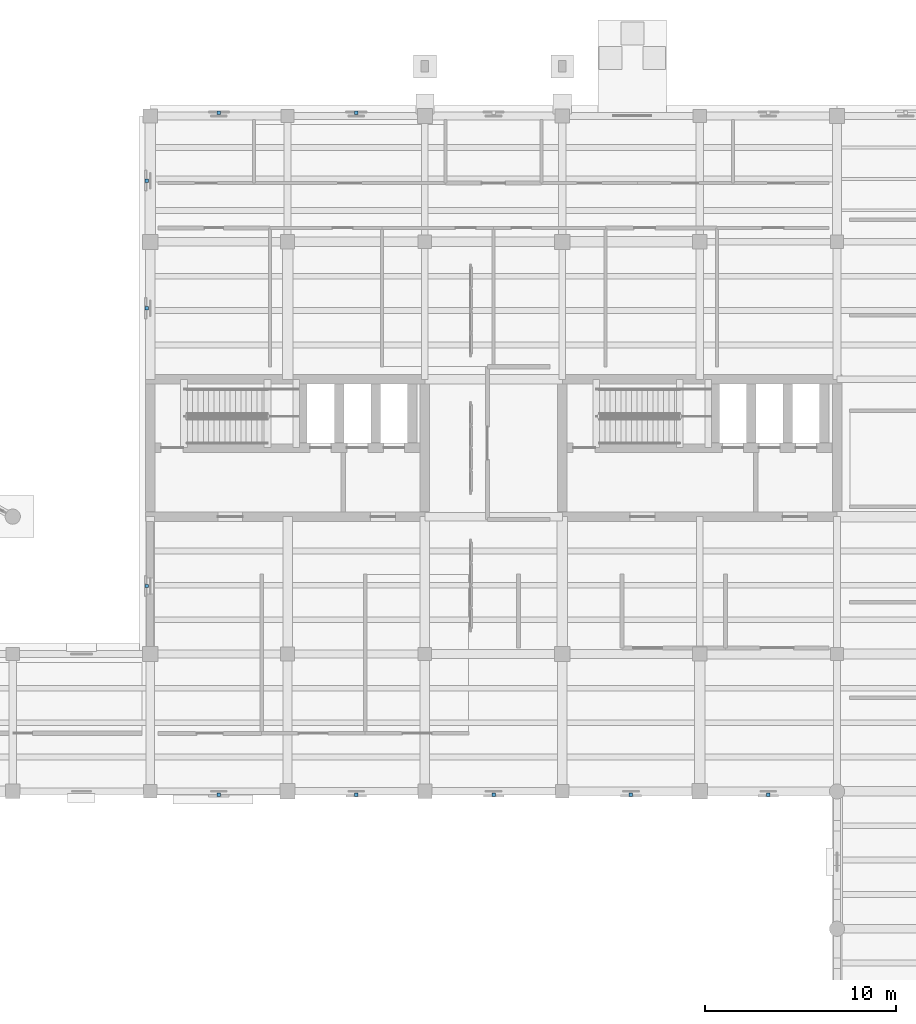
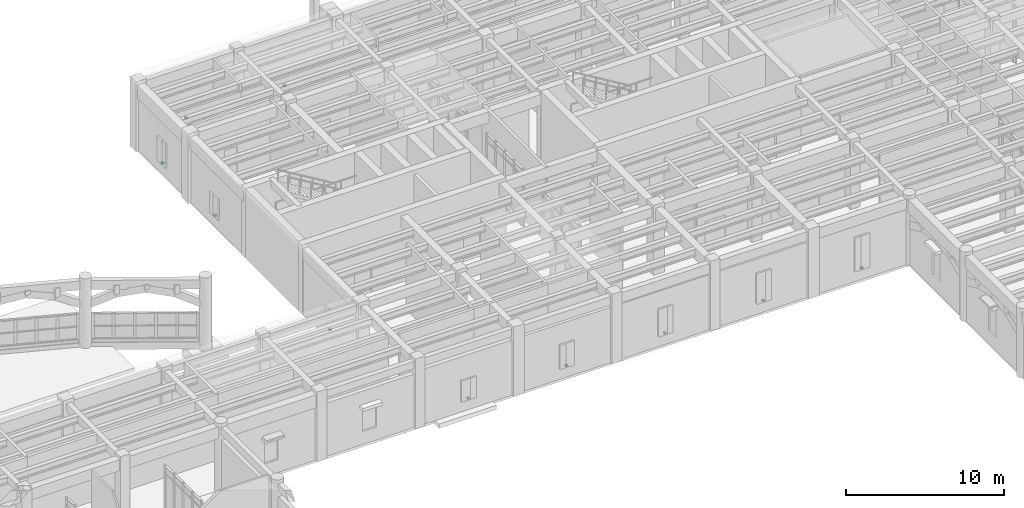
# One storey, part 88 of 100: 10 discrete accessories.
"""IFC4 building model written with IfcOpenShell, lengths in metres."""

from ifc_helpers import new_model, si_unit, direction, frame, origin, origin_2d, place, context, subcontext, project, spatial, rectangle, extrude, material, type_object, element, save


model = new_model("IFC4")

# Units and contexts
model_context = context("Model", 3, precision=1e-05, world=origin(), true_north=direction((0.0, 1.0)))
body_context = subcontext(model_context, "Body", "Model", "MODEL_VIEW")
ifc_project = project(units=[si_unit("LENGTHUNIT", "METRE"), si_unit("AREAUNIT", "SQUARE_METRE"), si_unit("VOLUMEUNIT", "CUBIC_METRE"), si_unit("PLANEANGLEUNIT", "RADIAN"), si_unit("MASSUNIT", "GRAM", prefix="KILO")], contexts=[model_context])

# Site, building, storey
site_placement = place(None, origin())
site = spatial("IfcSite", under=ifc_project, at=site_placement, CompositionType="ELEMENT")
building_placement = place(site_placement, origin())
building = spatial("IfcBuilding", under=site, at=building_placement, Name="Mithqara Police Headquarters", CompositionType="ELEMENT")
storey_placement = place(building_placement, origin())
storey = spatial("IfcBuildingStorey", under=building, at=storey_placement, Name="L00", CompositionType="ELEMENT", Elevation=0.0)

# Discrete accessories
ifc_material = material(Name="Steel S355JR", Category="steel")
discrete_accessory_type = type_object("IfcDiscreteAccessoryType", Name="SCREEN BRACKET SS", PredefinedType="BRACKET", material=ifc_material)
for number, where, z_axis, x_axis, name in (
    (1, (112.199951171875, 114.179931640625, 0.849853515625), (0.0, 0.0, 1.0), (1.0, 0.0, 0.0), "L00 Stone Screen Support Bracket 9.1"),
    (2, (119.39990234375, 114.179931640625, 0.849853515625), (0.0, 0.0, 1.0), (1.0, 0.0, 0.0), "L00 Stone Screen Support Bracket 9.2"),
    (3, (108.419921875, 103.925048828125, 0.849853515625), (0.0, 0.0, 1.0), (0.0, 1.0, 0.0), "L00 Stone Screen Support Bracket 10.1"),
    (4, (108.419921875, 110.610107421875, 0.849853515625), (0.0, 0.0, 1.0), (0.0, 1.0, 0.0), "L00 Stone Screen Support Bracket 10.2"),
    (5, (108.419921875, 89.364990234375, 0.849853515625), (0.0, 0.0, 1.0), (0.0, 1.0, 0.0), "L00 Stone Screen Support Bracket 10.1"),
    (6, (112.199951171875, 78.419921875, 0.849853515625), (0.0, 0.0, 1.0), (1.0, 0.0, 0.0), "L00 Stone Screen Support Bracket 3.1"),
    (7, (119.39990234375, 78.419921875, 0.849853515625), (0.0, 0.0, 1.0), (1.0, 0.0, 0.0), "L00 Stone Screen Support Bracket 3.2"),
    (8, (126.60009765625, 78.419921875, 0.849853515625), (0.0, 0.0, 1.0), (1.0, 0.0, 0.0), "L00 Stone Screen Support Bracket 3.3"),
    (9, (133.800048828125, 78.419921875, 0.849853515625), (0.0, 0.0, 1.0), (1.0, 0.0, 0.0), "L00 Stone Screen Support Bracket 3.4"),
    (10, (141.0, 78.419921875, 0.849853515625), (0.0, 0.0, 1.0), (1.0, 0.0, 0.0), "L00 Stone Screen Support Bracket 3.5"),
):
    element("IfcDiscreteAccessory", number, at=place(storey_placement, frame(where, z_axis=z_axis, x_axis=x_axis)), inside=storey, type_object=discrete_accessory_type, Name=name, PredefinedType="BRACKET", context=body_context, shape_type="SweptSolid", body=[
        extrude(rectangle(XDim=0.179931640625, YDim=0.179931640625, at=origin_2d()), origin(), (0.0, 0.0, 1.0), 0.1201171875),
    ])

save(model, "model.ifc")
